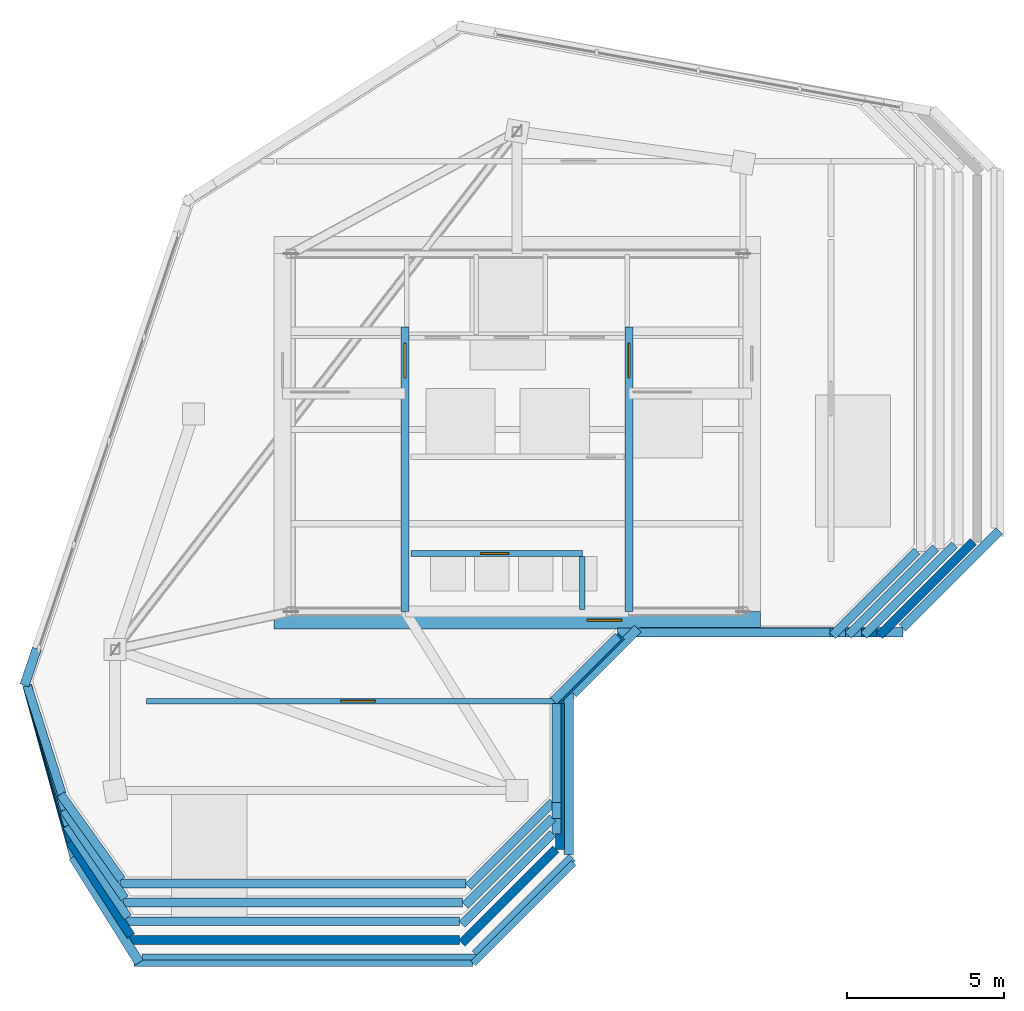
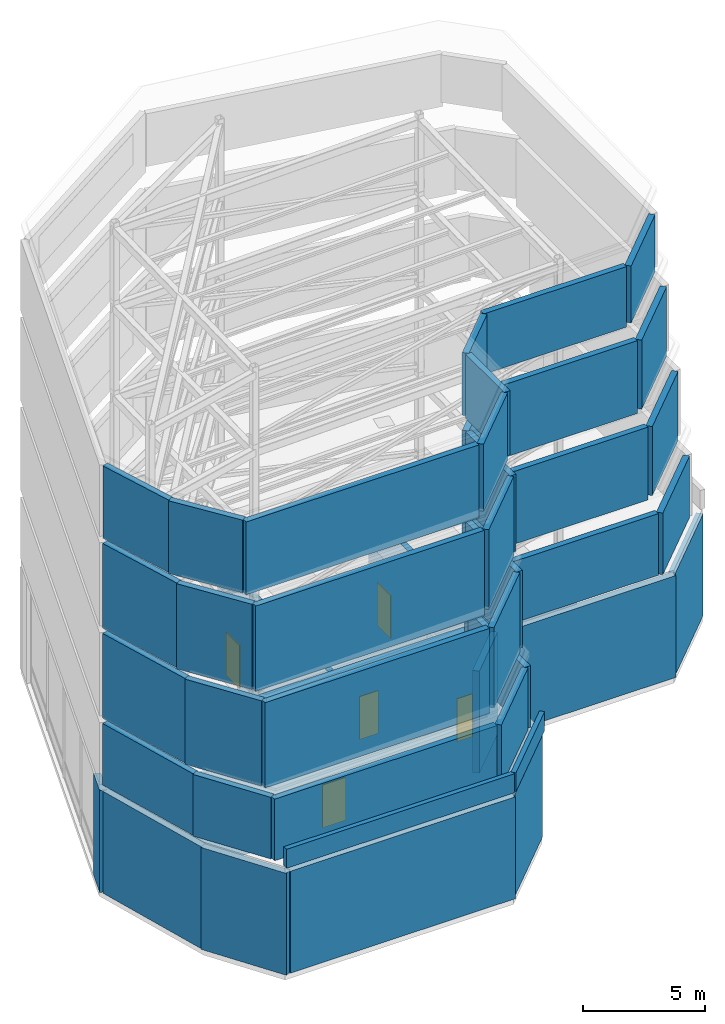
# One storey, part 6 of 9: 49 walls, 5 doors, 5 openings.
"""IFC4 building model written with IfcOpenShell, lengths in metres."""

from ifc_helpers import new_model, si_unit, direction, frame, frame_2d, origin, place, context, subcontext, project, spatial, rectangle, extrude, source, transform, mapped, material, layer, layer_set, type_object, element, fill, save


model = new_model("IFC4")

# Units and contexts
model_context = context("Model", 3, precision=1e-05, world=origin(), true_north=direction((0.0, 1.0)))
body_context = subcontext(model_context, "Body", "Model", "MODEL_VIEW")
ifc_project = project(units=[si_unit("LENGTHUNIT", "METRE"), si_unit("AREAUNIT", "SQUARE_METRE"), si_unit("VOLUMEUNIT", "CUBIC_METRE"), si_unit("PLANEANGLEUNIT", "RADIAN"), si_unit("MASSUNIT", "GRAM", prefix="KILO")], contexts=[model_context])

# Site, building, storey
site_placement = place(None, origin())
site = spatial("IfcSite", under=ifc_project, at=site_placement, CompositionType="ELEMENT")
building_placement = place(site_placement, origin())
building = spatial("IfcBuilding", under=site, at=building_placement, Name="Calvemar Wedge Station Tower", CompositionType="ELEMENT")
storey_placement = place(building_placement, frame((0.0, 0.0, 309.5)))
storey = spatial("IfcBuildingStorey", under=building, at=storey_placement, Name="L79", CompositionType="ELEMENT", Elevation=309.5)

# Wall, opening, door
ifc_material_1 = material(Name="Concrete C50", Category="concrete")
ifc_layer_1 = layer(ifc_material_1, 0.260009765625)
ifc_layer_set_1 = layer_set([ifc_layer_1], Name="Concrete C50")
wall_type_1 = type_object("IfcWallType", Name="SW-CORE-260", PredefinedType="SHEAR", material=ifc_layer_set_1)
wall_1_placement = place(storey_placement, frame((20.22998046875, 34.199951171875, 0.0), z_axis=(0.0, 0.0, 1.0), x_axis=(0.0, 1.0, 0.0)))
wall_1 = element("IfcWall", 1, at=wall_1_placement, inside=storey, type_object=wall_type_1, Name="Storey L79 Core Shear Wall SPINE-W", PredefinedType="SHEAR", context=body_context, shape_type="SweptSolid", body=[
    extrude(rectangle(XDim=9.06005859375, YDim=0.260009765625, at=frame_2d((4.530029296875, 0.0))), origin(), (0.0, 0.0, 1.0), 5.39990234375),
])
shared_shape_1 = source(origin(), body_context, "Body", "SweptSolid", [
    extrude(rectangle(XDim=1.10009765625, YDim=2.14990234375, at=frame_2d((0.550048828125, 1.074951171875))), frame((0.0, 0.14013671875, 0.0), z_axis=(0.0, -1.0, 0.0), x_axis=(1.0, 0.0, 0.0)), (0.0, 0.0, 1.0), 0.280029296875),
])
opening_1_placement = place(wall_1_placement, frame((7.449951171875, 0.0, 0.0)))
opening_1 = element("IfcOpeningElement", 2, at=opening_1_placement, cuts=wall_1, Name="Opening FD-90", PredefinedType="OPENING", context=body_context, shape_type="MappedRepresentation", body=[
    mapped(shared_shape_1, transform((0.0, 0.0, 0.0), scale=1.0)),
])
ifc_material_2 = material(Name="Galvanized fire-rated steel door leaf P-90", Category="steel")
door_type_1 = type_object("IfcDoorType", Name="DR-FD90-1100", OperationType="NOTDEFINED", PredefinedType="DOOR", material=ifc_material_2)
shared_shape_2 = source(origin(), body_context, "Body", "SweptSolid", [
    extrude(rectangle(XDim=1.10009765625, YDim=2.14990234375, at=frame_2d((0.550048828125, 1.074951171875))), frame((0.0, 0.02490234375, 0.0), z_axis=(0.0, -1.0, 0.0), x_axis=(1.0, 0.0, 0.0)), (0.0, 0.0, 1.0), 0.050048828125),
])
door_1_placement = place(opening_1_placement, origin())
door_1 = element("IfcDoor", 3, at=door_1_placement, inside=storey, type_object=door_type_1, Name="L79 FF Lobby to Stair ST-C1 Door", OperationType="SINGLE_SWING_LEFT", OverallHeight=2.14990234375, OverallWidth=1.10009765625, PredefinedType="DOOR", context=body_context, shape_type="MappedRepresentation", body=[
    mapped(shared_shape_2, transform((0.0, 0.0, 0.0), scale=1.0)),
])
fill(opening_1, door_1)

wall_2_placement = place(storey_placement, frame((27.3701171875, 34.199951171875, 0.0), z_axis=(0.0, 0.0, 1.0), x_axis=(0.0, 1.0, 0.0)))
wall_2 = element("IfcWall", 4, at=wall_2_placement, inside=storey, type_object=wall_type_1, Name="Storey L79 Core Shear Wall SPINE-E", PredefinedType="SHEAR", context=body_context, shape_type="SweptSolid", body=[
    extrude(rectangle(XDim=9.06005859375, YDim=0.260009765625, at=frame_2d((4.530029296875, 0.0))), origin(), (0.0, 0.0, 1.0), 5.39990234375),
])
opening_2_placement = place(wall_2_placement, frame((7.449951171875, 0.0, 0.0)))
opening_2 = element("IfcOpeningElement", 5, at=opening_2_placement, cuts=wall_2, Name="Opening FD-90", PredefinedType="OPENING", context=body_context, shape_type="MappedRepresentation", body=[
    mapped(shared_shape_1, transform((0.0, 0.0, 0.0), scale=1.0)),
])
door_2_placement = place(opening_2_placement, origin())
door_2 = element("IfcDoor", 6, at=door_2_placement, inside=storey, type_object=door_type_1, Name="L79 FF Lobby to Stair ST-C2 Door", OperationType="SINGLE_SWING_RIGHT", OverallHeight=2.14990234375, OverallWidth=1.10009765625, PredefinedType="DOOR", context=body_context, shape_type="MappedRepresentation", body=[
    mapped(shared_shape_2, transform((0.0, 0.0, 0.0), scale=1.0)),
])
fill(opening_2, door_2)

ifc_material_3 = material(Name="Concrete C60", Category="concrete")
ifc_layer_2 = layer(ifc_material_3, 0.550048828125)
ifc_layer_set_2 = layer_set([ifc_layer_2], Name="Concrete C60")
wall_type_2 = type_object("IfcWallType", Name="SW-CORE-550", PredefinedType="SHEAR", material=ifc_layer_set_2)
wall_3_placement = place(storey_placement, frame((16.050048828125, 33.925048828125, 0.0), z_axis=(0.0, 0.0, 1.0), x_axis=(1.0, 0.0, 0.0)))
wall_3 = element("IfcWall", 7, at=wall_3_placement, inside=storey, type_object=wall_type_2, Name="Storey L79 Core Shear Wall S", PredefinedType="SHEAR", context=body_context, shape_type="SweptSolid", body=[
    extrude(rectangle(XDim=15.5, YDim=0.550048828125, at=frame_2d((7.75, 0.0))), origin(), (0.0, 0.0, 1.0), 5.39990234375),
])
shared_shape_3 = source(origin(), body_context, "Body", "SweptSolid", [
    extrude(rectangle(XDim=1.10009765625, YDim=2.14990234375, at=frame_2d((0.550048828125, 1.074951171875))), frame((0.0, 0.28515625, 0.0), z_axis=(0.0, -1.0, 0.0), x_axis=(1.0, 0.0, 0.0)), (0.0, 0.0, 1.0), 0.570068359375),
])
opening_3_placement = place(wall_3_placement, frame((9.97998046875, 0.0, 0.0)))
opening_3 = element("IfcOpeningElement", 8, at=opening_3_placement, cuts=wall_3, Name="Opening FD-90", PredefinedType="OPENING", context=body_context, shape_type="MappedRepresentation", body=[
    mapped(shared_shape_3, transform((0.0, 0.0, 0.0), scale=1.0)),
])
door_3_placement = place(opening_3_placement, origin())
door_3 = element("IfcDoor", 9, at=door_3_placement, inside=storey, type_object=door_type_1, Name="L79 Passenger Lift Lobby Door", OperationType="SINGLE_SWING_LEFT", OverallHeight=2.14990234375, OverallWidth=1.10009765625, PredefinedType="DOOR", context=body_context, shape_type="MappedRepresentation", body=[
    mapped(shared_shape_2, transform((0.0, 0.0, 0.0), scale=1.0)),
])
fill(opening_3, door_3)

ifc_material_4 = material(Name="Double-stud fire-rated corridor partition")
ifc_layer_3 = layer(ifc_material_4, 0.179931640625)
ifc_layer_set_3 = layer_set([ifc_layer_3], Name="Double-stud fire-rated corridor partition")
wall_type_3 = type_object("IfcWallType", Name="W-CORR-180", PredefinedType="PARTITIONING", material=ifc_layer_set_3)
wall_4_placement = place(storey_placement, frame((20.419921875, 36.050048828125, 0.0), z_axis=(0.0, 0.0, 1.0), x_axis=(1.0, 0.0, 0.0)))
wall_4 = element("IfcWall", 10, at=wall_4_placement, inside=storey, type_object=wall_type_3, Name="Storey L79 Interior Partition WL-L79-002", PredefinedType="PARTITIONING", context=body_context, shape_type="SweptSolid", body=[
    extrude(rectangle(XDim=5.4599609375, YDim=0.179931640625, at=frame_2d((2.72998046875, 0.0))), origin(), (0.0, 0.0, 1.0), 5.10009765625),
])
shared_shape_4 = source(origin(), body_context, "Body", "SweptSolid", [
    extrude(rectangle(XDim=0.89990234375, YDim=2.14990234375, at=frame_2d((0.449951171875, 1.074951171875))), frame((0.0, 0.10009765625, 0.0), z_axis=(0.0, -1.0, 0.0), x_axis=(1.0, 0.0, 0.0)), (0.0, 0.0, 1.0), 0.199951171875),
])
opening_4_placement = place(wall_4_placement, frame((2.219482421875, 0.0, 0.0)))
opening_4 = element("IfcOpeningElement", 11, at=opening_4_placement, cuts=wall_4, Name="Opening FD-60", PredefinedType="OPENING", context=body_context, shape_type="MappedRepresentation", body=[
    mapped(shared_shape_4, transform((0.0, 0.0, 0.0), scale=1.0)),
])
ifc_material_5 = material(Name="Fire-rated acoustic timber-core entrance door EI 60", Category="wood")
door_type_2 = type_object("IfcDoorType", Name="DR-FD60-900", OperationType="NOTDEFINED", PredefinedType="DOOR", material=ifc_material_5)
shared_shape_5 = source(origin(), body_context, "Body", "SweptSolid", [
    extrude(rectangle(XDim=0.89990234375, YDim=2.14990234375, at=frame_2d((0.449951171875, 1.074951171875))), frame((0.0, 0.02490234375, 0.0), z_axis=(0.0, -1.0, 0.0), x_axis=(1.0, 0.0, 0.0)), (0.0, 0.0, 1.0), 0.050048828125),
])
door_4_placement = place(opening_4_placement, origin())
door_4 = element("IfcDoor", 12, at=door_4_placement, inside=storey, type_object=door_type_2, Name="L79 Wine and Parcel Store Door", OperationType="SINGLE_SWING_LEFT", OverallHeight=2.14990234375, OverallWidth=0.89990234375, PredefinedType="DOOR", context=body_context, shape_type="MappedRepresentation", body=[
    mapped(shared_shape_5, transform((0.0, 0.0, 0.0), scale=1.0)),
])
fill(opening_4, door_4)

# Wall
wall_5_placement = place(storey_placement, frame((25.8798828125, 35.9560546875, 0.0), z_axis=(0.0, 0.0, 1.0), x_axis=(0.0, -1.0, 0.0)))
element("IfcWall", 13, at=wall_5_placement, inside=storey, type_object=wall_type_3, Name="Storey L79 Interior Partition WL-L79-003", PredefinedType="PARTITIONING", context=body_context, shape_type="SweptSolid", body=[
    extrude(rectangle(XDim=1.68603515625, YDim=0.179931640625, at=frame_2d((0.843017578125, 0.0))), origin(), (0.0, 0.0, 1.0), 4.39208984375),
])

# Wall, opening, door
wall_6_placement = place(storey_placement, frame((25.3349609375, 31.35009765625, 0.0), z_axis=(0.0, 0.0, 1.0), x_axis=(-1.0, 0.0, 0.0)))
wall_6 = element("IfcWall", 14, at=wall_6_placement, inside=storey, type_object=wall_type_3, Name="Storey L79 Interior Partition WL-L79-004", PredefinedType="PARTITIONING", context=body_context, shape_type="SweptSolid", body=[
    extrude(rectangle(XDim=13.3349609375, YDim=0.179931640625, at=frame_2d((6.66748046875, 0.0))), origin(), (0.0, 0.0, 1.0), 4.76904296875),
])
shared_shape_6 = source(origin(), body_context, "Body", "SweptSolid", [
    extrude(rectangle(XDim=1.10009765625, YDim=2.14990234375, at=frame_2d((0.550048828125, 1.074951171875))), frame((0.0, 0.10009765625, 0.0), z_axis=(0.0, -1.0, 0.0), x_axis=(1.0, 0.0, 0.0)), (0.0, 0.0, 1.0), 0.199951171875),
])
opening_5_placement = place(wall_6_placement, frame((6.057373046875, 0.0, 0.0)))
opening_5 = element("IfcOpeningElement", 15, at=opening_5_placement, cuts=wall_6, Name="Opening FD-90", PredefinedType="OPENING", context=body_context, shape_type="MappedRepresentation", body=[
    mapped(shared_shape_6, transform((0.0, 0.0, 0.0), scale=1.0)),
])
door_5_placement = place(opening_5_placement, origin())
door_5 = element("IfcDoor", 16, at=door_5_placement, inside=storey, type_object=door_type_1, Name="L79 High-Rise Lift Machine Room Door", OperationType="SINGLE_SWING_LEFT", OverallHeight=2.14990234375, OverallWidth=1.10009765625, PredefinedType="DOOR", context=body_context, shape_type="MappedRepresentation", body=[
    mapped(shared_shape_2, transform((0.0, 0.0, 0.0), scale=1.0)),
])
fill(opening_5, door_5)

# Walls
ifc_material_6 = material(Name="Precast concrete C45", Category="concrete")
ifc_layer_4 = layer(ifc_material_6, 0.280029296875)
ifc_layer_set_4 = layer_set([ifc_layer_4], Name="Precast concrete C45")
wall_type_4 = type_object("IfcWallType", Name="W-CROWN-280", PredefinedType="SOLIDWALL", material=ifc_layer_set_4)
wall_7_placement = place(storey_placement, frame((38.3349609375, 36.43310546875, 5.39990234375), z_axis=(0.0, 0.0, 1.0), x_axis=(-0.707077932049, -0.707135629147, 0.0)))
element("IfcWall", 17, at=wall_7_placement, inside=storey, type_object=wall_type_4, Name="Stepped Crown Tier 1 Bronze GFRC Screen Wall 6", PredefinedType="SOLIDWALL", context=body_context, shape_type="SweptSolid", body=[
    extrude(rectangle(XDim=4.2314453125, YDim=0.280029296875, at=frame_2d((2.11572265625, 0.0))), origin(), (0.0, 0.0, 1.0), 3.080078125),
])
wall_8_placement = place(storey_placement, frame((35.26513671875, 33.5400390625, 5.39990234375), z_axis=(0.0, 0.0, 1.0), x_axis=(-1.0, 0.0, 0.0)))
element("IfcWall", 18, at=wall_8_placement, inside=storey, type_object=wall_type_4, Name="Stepped Crown Tier 1 Bronze GFRC Screen Wall 7", PredefinedType="SOLIDWALL", context=body_context, shape_type="SweptSolid", body=[
    extrude(rectangle(XDim=8.1591796875, YDim=0.280029296875, at=frame_2d((4.07958984375, 0.0))), origin(), (0.0, 0.0, 1.0), 3.080078125),
])
wall_9_placement = place(storey_placement, frame((27.12109375, 33.4150390625, 5.39990234375), z_axis=(0.0, 0.0, 1.0), x_axis=(-0.707106781187, -0.707106781187, 0.0)))
element("IfcWall", 19, at=wall_9_placement, inside=storey, type_object=wall_type_4, Name="Stepped Crown Tier 1 Bronze GFRC Screen Wall 8", PredefinedType="SOLIDWALL", context=body_context, shape_type="SweptSolid", body=[
    extrude(rectangle(XDim=2.907958984375, YDim=0.280029296875, at=frame_2d((1.4541015625, 0.0))), origin(), (0.0, 0.0, 1.0), 3.080078125),
])
wall_10_placement = place(storey_placement, frame((25.1640625, 31.28125, 5.39990234375), z_axis=(0.0, 0.0, 1.0), x_axis=(0.0, -1.0, 0.0)))
element("IfcWall", 20, at=wall_10_placement, inside=storey, type_object=wall_type_4, Name="Stepped Crown Tier 1 Bronze GFRC Screen Wall 9", PredefinedType="SOLIDWALL", context=body_context, shape_type="SweptSolid", body=[
    extrude(rectangle(XDim=4.663330078125, YDim=0.280029296875, at=frame_2d((2.33154296875, 0.0))), origin(), (0.0, 0.0, 1.0), 3.080078125),
])
wall_11_placement = place(storey_placement, frame((25.0390625, 26.633056640625, 5.39990234375), z_axis=(0.0, 0.0, 1.0), x_axis=(-0.707106781187, -0.707106781187, 0.0)))
element("IfcWall", 21, at=wall_11_placement, inside=storey, type_object=wall_type_4, Name="Stepped Crown Tier 1 Bronze GFRC Screen Wall 10", PredefinedType="SOLIDWALL", context=body_context, shape_type="SweptSolid", body=[
    extrude(rectangle(XDim=4.231201171875, YDim=0.280029296875, at=frame_2d((2.11572265625, 0.0))), origin(), (0.0, 0.0, 1.0), 3.080078125),
])
wall_12_placement = place(storey_placement, frame((21.96923828125, 23.739990234375, 5.39990234375), z_axis=(0.0, 0.0, 1.0), x_axis=(-1.0, 0.0, 0.0)))
element("IfcWall", 22, at=wall_12_placement, inside=storey, type_object=wall_type_4, Name="Stepped Crown Tier 1 Bronze GFRC Screen Wall 11", PredefinedType="SOLIDWALL", context=body_context, shape_type="SweptSolid", body=[
    extrude(rectangle(XDim=10.529052734375, YDim=0.280029296875, at=frame_2d((5.2646484375, 0.0))), origin(), (0.0, 0.0, 1.0), 3.080078125),
])
wall_13_placement = place(storey_placement, frame((11.49951171875, 23.864990234375, 5.39990234375), z_axis=(0.0, 0.0, 1.0), x_axis=(-0.542089622304, 0.840320677712, 0.0)))
element("IfcWall", 23, at=wall_13_placement, inside=storey, type_object=wall_type_4, Name="Stepped Crown Tier 1 Bronze GFRC Screen Wall 12", PredefinedType="SOLIDWALL", context=body_context, shape_type="SweptSolid", body=[
    extrude(rectangle(XDim=3.583251953125, YDim=0.280029296875, at=frame_2d((1.79150390625, 0.0))), origin(), (0.0, 0.0, 1.0), 3.080078125),
])
wall_14_placement = place(storey_placement, frame((9.597412109375, 26.884033203125, 5.39990234375), z_axis=(0.0, 0.0, 1.0), x_axis=(-0.273003094154, 0.962013155098, 0.0)))
element("IfcWall", 24, at=wall_14_placement, inside=storey, type_object=wall_type_4, Name="Stepped Crown Tier 1 Bronze GFRC Screen Wall 13", PredefinedType="SOLIDWALL", context=body_context, shape_type="SweptSolid", body=[
    extrude(rectangle(XDim=5.16259765625, YDim=0.280029296875, at=frame_2d((2.581298828125, 0.0))), origin(), (0.0, 0.0, 1.0), 3.080078125),
])
wall_15_placement = place(storey_placement, frame((37.735107421875, 36.3330078125, 9.531982421875), z_axis=(0.0, 0.0, 1.0), x_axis=(-0.707106781187, -0.707106781187, 0.0)))
element("IfcWall", 25, at=wall_15_placement, inside=storey, type_object=wall_type_4, Name="Stepped Crown Tier 2 Bronze GFRC Screen Wall 6", PredefinedType="SOLIDWALL", context=body_context, shape_type="SweptSolid", body=[
    extrude(rectangle(XDim=4.090087890625, YDim=0.280029296875, at=frame_2d((2.044921875, 0.0))), origin(), (0.0, 0.0, 1.0), 3.447998046875),
])
wall_16_placement = place(storey_placement, frame((34.76513671875, 33.5400390625, 9.337890625), z_axis=(0.0, 0.0, 1.0), x_axis=(-1.0, 0.0, 0.0)))
element("IfcWall", 26, at=wall_16_placement, inside=storey, type_object=wall_type_4, Name="Stepped Crown Tier 2 Bronze GFRC Screen Wall 7", PredefinedType="SOLIDWALL", context=body_context, shape_type="SweptSolid", body=[
    extrude(rectangle(XDim=7.76318359375, YDim=0.280029296875, at=frame_2d((3.881591796875, 0.0))), origin(), (0.0, 0.0, 1.0), 3.64208984375),
])
wall_17_placement = place(storey_placement, frame((27.01708984375, 33.4150390625, 9.23193359375), z_axis=(0.0, 0.0, 1.0), x_axis=(-0.707106781187, -0.707106781187, 0.0)))
element("IfcWall", 27, at=wall_17_placement, inside=storey, type_object=wall_type_4, Name="Stepped Crown Tier 2 Bronze GFRC Screen Wall 8", PredefinedType="SOLIDWALL", context=body_context, shape_type="SweptSolid", body=[
    extrude(rectangle(XDim=2.907958984375, YDim=0.280029296875, at=frame_2d((1.4541015625, 0.0))), origin(), (0.0, 0.0, 1.0), 3.748046875),
])
wall_18_placement = place(storey_placement, frame((25.06005859375, 31.28125, 9.128173828125), z_axis=(0.0, 0.0, 1.0), x_axis=(0.0, -1.0, 0.0)))
element("IfcWall", 28, at=wall_18_placement, inside=storey, type_object=wall_type_4, Name="Stepped Crown Tier 2 Bronze GFRC Screen Wall 9", PredefinedType="SOLIDWALL", context=body_context, shape_type="SweptSolid", body=[
    extrude(rectangle(XDim=4.163330078125, YDim=0.280029296875, at=frame_2d((2.08154296875, 0.0))), origin(), (0.0, 0.0, 1.0), 3.851806640625),
])
wall_19_placement = place(storey_placement, frame((24.93505859375, 27.133056640625, 8.98046875), z_axis=(0.0, 0.0, 1.0), x_axis=(-0.707106781187, -0.707106781187, 0.0)))
element("IfcWall", 29, at=wall_19_placement, inside=storey, type_object=wall_type_4, Name="Stepped Crown Tier 2 Bronze GFRC Screen Wall 10", PredefinedType="SOLIDWALL", context=body_context, shape_type="SweptSolid", body=[
    extrude(rectangle(XDim=4.090087890625, YDim=0.280029296875, at=frame_2d((2.044921875, 0.0))), origin(), (0.0, 0.0, 1.0), 3.99951171875),
])
wall_20_placement = place(storey_placement, frame((21.965087890625, 24.340087890625, 8.714599609375), z_axis=(0.0, 0.0, 1.0), x_axis=(-1.0, 0.0, 0.0)))
element("IfcWall", 30, at=wall_20_placement, inside=storey, type_object=wall_type_4, Name="Stepped Crown Tier 2 Bronze GFRC Screen Wall 11", PredefinedType="SOLIDWALL", context=body_context, shape_type="SweptSolid", body=[
    extrude(rectangle(XDim=10.6220703125, YDim=0.280029296875, at=frame_2d((5.31103515625, 0.0))), origin(), (0.0, 0.0, 1.0), 4.265380859375),
])
wall_21_placement = place(storey_placement, frame((11.399658203125, 24.465087890625, 8.718994140625), z_axis=(0.0, 0.0, 1.0), x_axis=(-0.554700196225, 0.832050294338, 0.0)))
element("IfcWall", 31, at=wall_21_placement, inside=storey, type_object=wall_type_4, Name="Stepped Crown Tier 2 Bronze GFRC Screen Wall 12", PredefinedType="SOLIDWALL", context=body_context, shape_type="SweptSolid", body=[
    extrude(rectangle(XDim=3.4990234375, YDim=0.280029296875, at=frame_2d((1.74951171875, 0.0))), origin(), (0.0, 0.0, 1.0), 4.260986328125),
])
wall_22_placement = place(storey_placement, frame((9.49951171875, 27.385498046875, 8.74462890625), z_axis=(0.0, 0.0, 1.0), x_axis=(-0.281484518203, 0.959565769508, 0.0)))
element("IfcWall", 32, at=wall_22_placement, inside=storey, type_object=wall_type_4, Name="Stepped Crown Tier 2 Bronze GFRC Screen Wall 13", PredefinedType="SOLIDWALL", context=body_context, shape_type="SweptSolid", body=[
    extrude(rectangle(XDim=4.6533203125, YDim=0.280029296875, at=frame_2d((2.32666015625, 0.0))), origin(), (0.0, 0.0, 1.0), 4.2353515625),
])
wall_23_placement = place(storey_placement, frame((37.135009765625, 36.23291015625, 14.02294921875), z_axis=(0.0, 0.0, 1.0), x_axis=(-0.707106781187, -0.707106781187, 0.0)))
element("IfcWall", 33, at=wall_23_placement, inside=storey, type_object=wall_type_4, Name="Stepped Crown Tier 3 Bronze GFRC Screen Wall 6", PredefinedType="SOLIDWALL", context=body_context, shape_type="SweptSolid", body=[
    extrude(rectangle(XDim=3.948486328125, YDim=0.280029296875, at=frame_2d((1.97412109375, 0.0))), origin(), (0.0, 0.0, 1.0), 3.45703125),
])
wall_24_placement = place(storey_placement, frame((34.26513671875, 33.5400390625, 13.837646484375), z_axis=(0.0, 0.0, 1.0), x_axis=(-1.0, 0.0, 0.0)))
element("IfcWall", 34, at=wall_24_placement, inside=storey, type_object=wall_type_4, Name="Stepped Crown Tier 3 Bronze GFRC Screen Wall 7", PredefinedType="SOLIDWALL", context=body_context, shape_type="SweptSolid", body=[
    extrude(rectangle(XDim=7.26318359375, YDim=0.280029296875, at=frame_2d((3.631591796875, 0.0))), origin(), (0.0, 0.0, 1.0), 3.642333984375),
])
wall_25_placement = place(storey_placement, frame((27.01708984375, 33.4150390625, 13.729736328125), z_axis=(0.0, 0.0, 1.0), x_axis=(-0.707106781187, -0.707106781187, 0.0)))
element("IfcWall", 35, at=wall_25_placement, inside=storey, type_object=wall_type_4, Name="Stepped Crown Tier 3 Bronze GFRC Screen Wall 8", PredefinedType="SOLIDWALL", context=body_context, shape_type="SweptSolid", body=[
    extrude(rectangle(XDim=2.907958984375, YDim=0.280029296875, at=frame_2d((1.4541015625, 0.0))), origin(), (0.0, 0.0, 1.0), 3.750244140625),
])
wall_26_placement = place(storey_placement, frame((25.06005859375, 31.28125, 13.63671875), z_axis=(0.0, 0.0, 1.0), x_axis=(0.0, -1.0, 0.0)))
element("IfcWall", 36, at=wall_26_placement, inside=storey, type_object=wall_type_4, Name="Stepped Crown Tier 3 Bronze GFRC Screen Wall 9", PredefinedType="SOLIDWALL", context=body_context, shape_type="SweptSolid", body=[
    extrude(rectangle(XDim=3.663330078125, YDim=0.280029296875, at=frame_2d((1.83154296875, 0.0))), origin(), (0.0, 0.0, 1.0), 3.84326171875),
])
wall_27_placement = place(storey_placement, frame((24.93505859375, 27.633056640625, 13.490966796875), z_axis=(0.0, 0.0, 1.0), x_axis=(-0.707106781187, -0.707106781187, 0.0)))
element("IfcWall", 37, at=wall_27_placement, inside=storey, type_object=wall_type_4, Name="Stepped Crown Tier 3 Bronze GFRC Screen Wall 10", PredefinedType="SOLIDWALL", context=body_context, shape_type="SweptSolid", body=[
    extrude(rectangle(XDim=3.948486328125, YDim=0.280029296875, at=frame_2d((1.97412109375, 0.0))), origin(), (0.0, 0.0, 1.0), 3.989013671875),
])
wall_28_placement = place(storey_placement, frame((22.065185546875, 24.93994140625, 13.21484375), z_axis=(0.0, 0.0, 1.0), x_axis=(-1.0, 0.0, 0.0)))
element("IfcWall", 38, at=wall_28_placement, inside=storey, type_object=wall_type_4, Name="Stepped Crown Tier 3 Bronze GFRC Screen Wall 11", PredefinedType="SOLIDWALL", context=body_context, shape_type="SweptSolid", body=[
    extrude(rectangle(XDim=10.819580078125, YDim=0.280029296875, at=frame_2d((5.40966796875, 0.0))), origin(), (0.0, 0.0, 1.0), 4.26513671875),
])
wall_29_placement = place(storey_placement, frame((11.29931640625, 25.06494140625, 13.21923828125), z_axis=(0.0, 0.0, 1.0), x_axis=(-0.567711242973, 0.823227759859, 0.0)))
element("IfcWall", 39, at=wall_29_placement, inside=storey, type_object=wall_type_4, Name="Stepped Crown Tier 3 Bronze GFRC Screen Wall 12", PredefinedType="SOLIDWALL", context=body_context, shape_type="SweptSolid", body=[
    extrude(rectangle(XDim=3.415771484375, YDim=0.280029296875, at=frame_2d((1.7080078125, 0.0))), origin(), (0.0, 0.0, 1.0), 4.2607421875),
])
wall_30_placement = place(storey_placement, frame((9.4013671875, 27.88720703125, 13.242919921875), z_axis=(0.0, 0.0, 1.0), x_axis=(-0.291874245808, 0.956456702958, 0.0)))
element("IfcWall", 40, at=wall_30_placement, inside=storey, type_object=wall_type_4, Name="Stepped Crown Tier 3 Bronze GFRC Screen Wall 13", PredefinedType="SOLIDWALL", context=body_context, shape_type="SweptSolid", body=[
    extrude(rectangle(XDim=4.143798828125, YDim=0.280029296875, at=frame_2d((2.07177734375, 0.0))), origin(), (0.0, 0.0, 1.0), 4.237060546875),
])
wall_31_placement = place(storey_placement, frame((36.534912109375, 36.133056640625, 18.51318359375), z_axis=(0.0, 0.0, 1.0), x_axis=(-0.707074716487, -0.707138844432, 0.0)))
element("IfcWall", 41, at=wall_31_placement, inside=storey, type_object=wall_type_4, Name="Stepped Crown Tier 4 Bronze GFRC Screen Wall 6", PredefinedType="SOLIDWALL", context=body_context, shape_type="SweptSolid", body=[
    extrude(rectangle(XDim=3.80712890625, YDim=0.280029296875, at=frame_2d((1.903564453125, 0.0))), origin(), (0.0, 0.0, 1.0), 2.846923828125),
])
wall_32_placement = place(storey_placement, frame((33.76513671875, 33.5400390625, 18.33740234375), z_axis=(0.0, 0.0, 1.0), x_axis=(-1.0, 0.0, 0.0)))
element("IfcWall", 42, at=wall_32_placement, inside=storey, type_object=wall_type_4, Name="Stepped Crown Tier 4 Bronze GFRC Screen Wall 7", PredefinedType="SOLIDWALL", context=body_context, shape_type="SweptSolid", body=[
    extrude(rectangle(XDim=6.76318359375, YDim=0.280029296875, at=frame_2d((3.381591796875, 0.0))), origin(), (0.0, 0.0, 1.0), 3.022705078125),
])
wall_33_placement = place(storey_placement, frame((27.01708984375, 33.4150390625, 18.227294921875), z_axis=(0.0, 0.0, 1.0), x_axis=(-0.707106781187, -0.707106781187, 0.0)))
element("IfcWall", 43, at=wall_33_placement, inside=storey, type_object=wall_type_4, Name="Stepped Crown Tier 4 Bronze GFRC Screen Wall 8", PredefinedType="SOLIDWALL", context=body_context, shape_type="SweptSolid", body=[
    extrude(rectangle(XDim=2.907958984375, YDim=0.280029296875, at=frame_2d((1.4541015625, 0.0))), origin(), (0.0, 0.0, 1.0), 3.1328125),
])
wall_34_placement = place(storey_placement, frame((25.06005859375, 31.28125, 18.145263671875), z_axis=(0.0, 0.0, 1.0), x_axis=(0.0, -1.0, 0.0)))
element("IfcWall", 44, at=wall_34_placement, inside=storey, type_object=wall_type_4, Name="Stepped Crown Tier 4 Bronze GFRC Screen Wall 9", PredefinedType="SOLIDWALL", context=body_context, shape_type="SweptSolid", body=[
    extrude(rectangle(XDim=3.163330078125, YDim=0.280029296875, at=frame_2d((1.58154296875, 0.0))), origin(), (0.0, 0.0, 1.0), 3.21484375),
])
wall_35_placement = place(storey_placement, frame((24.93505859375, 28.133056640625, 18.001953125), z_axis=(0.0, 0.0, 1.0), x_axis=(-0.707106781187, -0.707106781187, 0.0)))
element("IfcWall", 45, at=wall_35_placement, inside=storey, type_object=wall_type_4, Name="Stepped Crown Tier 4 Bronze GFRC Screen Wall 10", PredefinedType="SOLIDWALL", context=body_context, shape_type="SweptSolid", body=[
    extrude(rectangle(XDim=3.807373046875, YDim=0.280029296875, at=frame_2d((1.90380859375, 0.0))), origin(), (0.0, 0.0, 1.0), 3.358154296875),
])
wall_36_placement = place(storey_placement, frame((22.165283203125, 25.5400390625, 17.715087890625), z_axis=(0.0, 0.0, 1.0), x_axis=(-1.0, 0.0, 0.0)))
element("IfcWall", 46, at=wall_36_placement, inside=storey, type_object=wall_type_4, Name="Stepped Crown Tier 4 Bronze GFRC Screen Wall 11", PredefinedType="SOLIDWALL", context=body_context, shape_type="SweptSolid", body=[
    extrude(rectangle(XDim=11.017333984375, YDim=0.280029296875, at=frame_2d((5.5087890625, 0.0))), origin(), (0.0, 0.0, 1.0), 3.64501953125),
])
wall_37_placement = place(storey_placement, frame((11.19873046875, 25.6650390625, 17.719482421875), z_axis=(0.0, 0.0, 1.0), x_axis=(-0.581252050314, 0.813723573461, 0.0)))
element("IfcWall", 47, at=wall_37_placement, inside=storey, type_object=wall_type_4, Name="Stepped Crown Tier 4 Bronze GFRC Screen Wall 12", PredefinedType="SOLIDWALL", context=body_context, shape_type="SweptSolid", body=[
    extrude(rectangle(XDim=3.333251953125, YDim=0.280029296875, at=frame_2d((1.66650390625, 0.0))), origin(), (0.0, 0.0, 1.0), 3.640625),
])
wall_38_placement = place(storey_placement, frame((9.302490234375, 28.388671875, 17.7412109375), z_axis=(0.0, 0.0, 1.0), x_axis=(-0.304780600966, 0.95242258755, 0.0)))
element("IfcWall", 48, at=wall_38_placement, inside=storey, type_object=wall_type_4, Name="Stepped Crown Tier 4 Bronze GFRC Screen Wall 13", PredefinedType="SOLIDWALL", context=body_context, shape_type="SweptSolid", body=[
    extrude(rectangle(XDim=3.635009765625, YDim=0.280029296875, at=frame_2d((1.8173828125, 0.0))), origin(), (0.0, 0.0, 1.0), 3.618896484375),
])
ifc_layer_5 = layer(ifc_material_6, 0.300048828125)
ifc_layer_set_5 = layer_set([ifc_layer_5], Name="Precast concrete C45")
wall_type_5 = type_object("IfcWallType", Name="W-EXT-GFRC-300", PredefinedType="SOLIDWALL", material=ifc_layer_set_5)
wall_39_placement = place(storey_placement, frame((9.6591796875, 26.38818359375, 0.0), z_axis=(0.0, 0.0, 1.0), x_axis=(0.530015528288, -0.847987936101, 0.0)))
element("IfcWall", 49, at=wall_39_placement, inside=storey, type_object=wall_type_5, Name="Storey L79 Bronze GFRC Exterior Wall 1", PredefinedType="SOLIDWALL", context=body_context, shape_type="SweptSolid", body=[
    extrude(rectangle(XDim=3.96875, YDim=0.300048828125, at=frame_2d((1.984375, 0.0))), origin(), (0.0, 0.0, 1.0), 5.10009765625),
])
wall_40_placement = place(storey_placement, frame((11.845703125, 23.14990234375, 0.0), z_axis=(0.0, 0.0, 1.0), x_axis=(1.0, 0.0, 0.0)))
element("IfcWall", 50, at=wall_40_placement, inside=storey, type_object=wall_type_5, Name="Storey L79 Bronze GFRC Exterior Wall 2", PredefinedType="SOLIDWALL", context=body_context, shape_type="SweptSolid", body=[
    extrude(rectangle(XDim=10.64208984375, YDim=0.300048828125, at=frame_2d((5.321044921875, 0.0))), origin(), (0.0, 0.0, 1.0), 5.10009765625),
])
wall_41_placement = place(storey_placement, frame((22.475830078125, 23.2880859375, 0.0), z_axis=(0.0, 0.0, 1.0), x_axis=(0.707134803727, 0.707078757535, 0.0)))
element("IfcWall", 51, at=wall_41_placement, inside=storey, type_object=wall_type_5, Name="Storey L79 Bronze GFRC Exterior Wall 3", PredefinedType="SOLIDWALL", context=body_context, shape_type="SweptSolid", body=[
    extrude(rectangle(XDim=4.35595703125, YDim=0.300048828125, at=frame_2d((2.177978515625, 0.0))), origin(), (0.0, 0.0, 1.0), 5.10009765625),
])
wall_42_placement = place(storey_placement, frame((25.449951171875, 26.457275390625, 0.0), z_axis=(0.0, 0.0, 1.0), x_axis=(0.0, 1.0, 0.0)))
element("IfcWall", 52, at=wall_42_placement, inside=storey, type_object=wall_type_5, Name="Storey L79 Bronze GFRC Exterior Wall 4", PredefinedType="SOLIDWALL", context=body_context, shape_type="SweptSolid", body=[
    extrude(rectangle(XDim=5.15478515625, YDim=0.300048828125, at=frame_2d((2.577392578125, 0.0))), origin(), (0.0, 0.0, 1.0), 5.10009765625),
])
wall_43_placement = place(storey_placement, frame((25.587890625, 31.60009765625, 0.0), z_axis=(0.0, 0.0, 1.0), x_axis=(0.707106781187, 0.707106781187, 0.0)))
element("IfcWall", 53, at=wall_43_placement, inside=storey, type_object=wall_type_5, Name="Storey L79 Bronze GFRC Exterior Wall 5", PredefinedType="SOLIDWALL", context=body_context, shape_type="SweptSolid", body=[
    extrude(rectangle(XDim=2.907470703125, YDim=0.300048828125, at=frame_2d((1.45361328125, 0.0))), origin(), (0.0, 0.0, 1.0), 5.10009765625),
])
wall_44_placement = place(storey_placement, frame((27.73291015625, 33.550048828125, 0.0), z_axis=(0.0, 0.0, 1.0), x_axis=(1.0, 0.0, 0.0)))
element("IfcWall", 54, at=wall_44_placement, inside=storey, type_object=wall_type_5, Name="Storey L79 Bronze GFRC Exterior Wall 6", PredefinedType="SOLIDWALL", context=body_context, shape_type="SweptSolid", body=[
    extrude(rectangle(XDim=8.35498046875, YDim=0.300048828125, at=frame_2d((4.177490234375, 0.0))), origin(), (0.0, 0.0, 1.0), 5.10009765625),
])
wall_45_placement = place(storey_placement, frame((36.075927734375, 33.68798828125, 0.0), z_axis=(0.0, 0.0, 1.0), x_axis=(0.707078757535, 0.707134803727, 0.0)))
element("IfcWall", 55, at=wall_45_placement, inside=storey, type_object=wall_type_5, Name="Storey L79 Bronze GFRC Exterior Wall 7", PredefinedType="SOLIDWALL", context=body_context, shape_type="SweptSolid", body=[
    extrude(rectangle(XDim=4.35595703125, YDim=0.300048828125, at=frame_2d((2.177978515625, 0.0))), origin(), (0.0, 0.0, 1.0), 5.10009765625),
])
wall_46_placement = place(storey_placement, frame((8.502197265625, 33.018798828125, 0.0), z_axis=(0.0, 0.0, 1.0), x_axis=(-0.319798692732, -0.947485512357, 0.0)))
element("IfcWall", 56, at=wall_46_placement, inside=storey, type_object=wall_type_5, Name="Storey L79 Bronze GFRC Corner Pier 12B", PredefinedType="SOLIDWALL", context=body_context, shape_type="SweptSolid", body=[
    extrude(rectangle(XDim=1.22998046875, YDim=0.300048828125, at=frame_2d((0.614990234375, 0.0))), origin(), (0.0, 0.0, 1.0), 5.10009765625),
])
wall_47_placement = place(storey_placement, frame((8.201171875, 31.8349609375, 0.0), z_axis=(0.0, 0.0, 1.0), x_axis=(0.265919285005, -0.963995297635, 0.0)))
element("IfcWall", 57, at=wall_47_placement, inside=storey, type_object=wall_type_5, Name="Storey L79 Bronze GFRC Exterior Wall 13", PredefinedType="SOLIDWALL", context=body_context, shape_type="SweptSolid", body=[
    extrude(rectangle(XDim=5.637939453125, YDim=0.300048828125, at=frame_2d((2.81884765625, 0.0))), origin(), (0.0, 0.0, 1.0), 5.10009765625),
])
ifc_layer_6 = layer(ifc_material_6, 0.219970703125)
ifc_layer_set_6 = layer_set([ifc_layer_6], Name="Precast concrete C45")
wall_type_6 = type_object("IfcWallType", Name="W-PARA-220", PredefinedType="PARAPET", material=ifc_layer_set_6)
wall_48_placement = place(storey_placement, frame((11.60009765625, 23.0, 5.39990234375), z_axis=(0.0, 0.0, 1.0), x_axis=(1.0, 0.0, 0.0)))
element("IfcWall", 58, at=wall_48_placement, inside=storey, type_object=wall_type_6, Name="L79 Crown Deck Parapet Wall 3.1", PredefinedType="PARAPET", context=body_context, shape_type="SweptSolid", body=[
    extrude(rectangle(XDim=10.7998046875, YDim=0.219970703125, at=frame_2d((5.39990234375, 0.0))), origin(), (0.0, 0.0, 1.0), 0.9501953125),
])
wall_49_placement = place(storey_placement, frame((22.39990234375, 23.0, 5.39990234375), z_axis=(0.0, 0.0, 1.0), x_axis=(0.707133754038, 0.707079807306, 0.0)))
element("IfcWall", 59, at=wall_49_placement, inside=storey, type_object=wall_type_6, Name="L79 Crown Deck Parapet Wall 4.1", PredefinedType="PARAPET", context=body_context, shape_type="SweptSolid", body=[
    extrude(rectangle(XDim=4.525634765625, YDim=0.219970703125, at=frame_2d((2.2626953125, 0.0))), origin(), (0.0, 0.0, 1.0), 0.9501953125),
])

save(model, "model.ifc")
